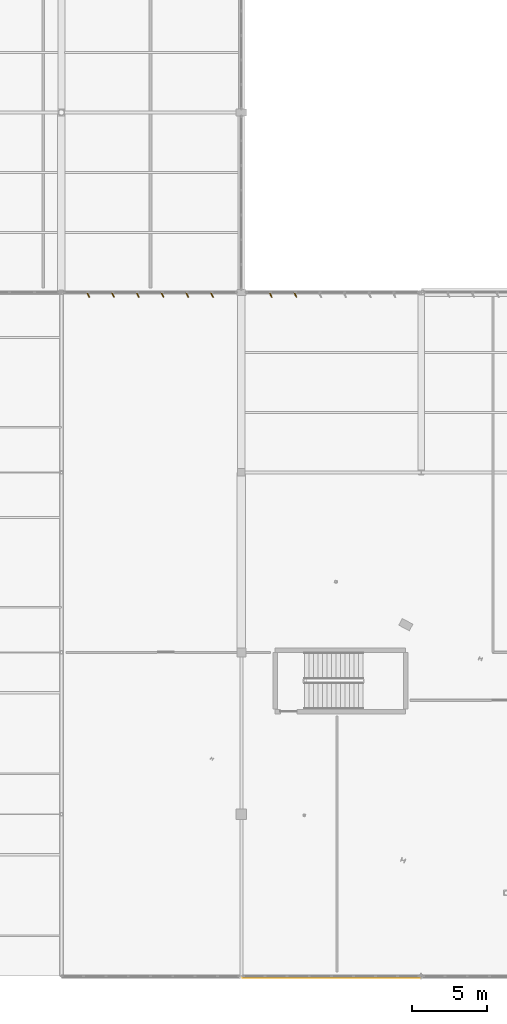
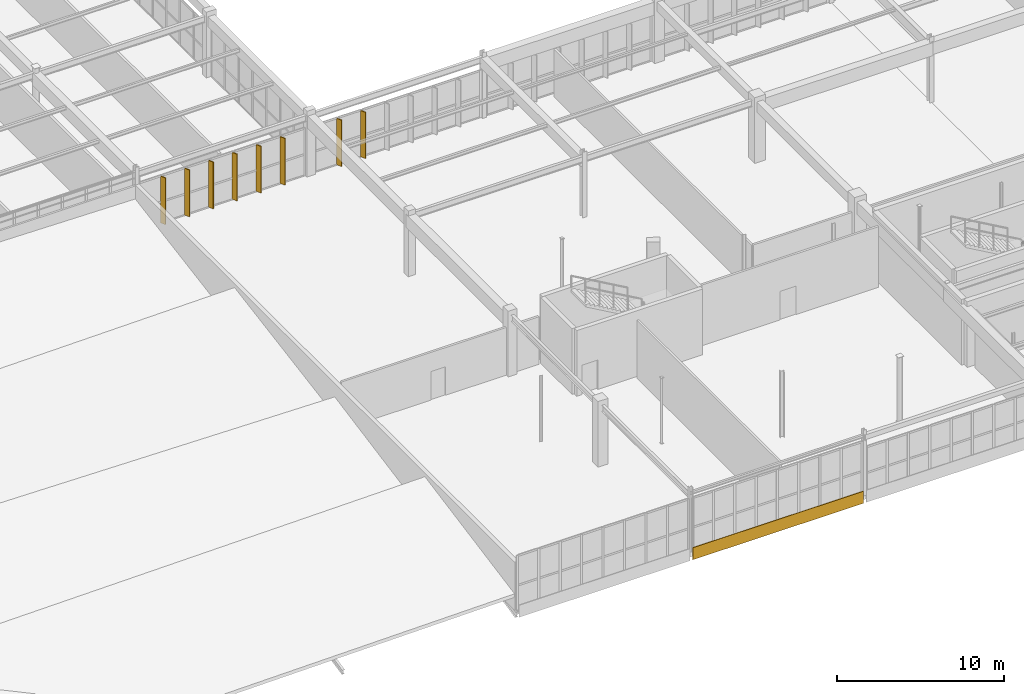
# One storey, part 202 of 226: 8 shading devices, 1 covering.
"""IFC4 building model written with IfcOpenShell, lengths in metres."""

from ifc_helpers import new_model, si_unit, direction, frame, origin, origin_2d, place, context, subcontext, project, spatial, rectangle, extrude, material, layer, layer_set, type_object, element, save


model = new_model("IFC4")

# Units and contexts
model_context = context("Model", 3, precision=1e-05, world=origin(), true_north=direction((0.0, 1.0)))
body_context = subcontext(model_context, "Body", "Model", "MODEL_VIEW")
ifc_project = project(units=[si_unit("LENGTHUNIT", "METRE"), si_unit("AREAUNIT", "SQUARE_METRE"), si_unit("VOLUMEUNIT", "CUBIC_METRE"), si_unit("PLANEANGLEUNIT", "RADIAN"), si_unit("MASSUNIT", "GRAM", prefix="KILO")], contexts=[model_context])

# Site, building, storey
site_placement = place(None, origin())
site = spatial("IfcSite", under=ifc_project, at=site_placement, CompositionType="ELEMENT")
building_placement = place(site_placement, origin())
building = spatial("IfcBuilding", under=site, at=building_placement, Name="Tarnwether General Hospital", CompositionType="ELEMENT")
storey_placement = place(building_placement, frame((0.0, 0.0, 4.800048828125)))
storey = spatial("IfcBuildingStorey", under=building, at=storey_placement, Name="L01", CompositionType="ELEMENT", Elevation=4.800048828125)

# Covering
ifc_material_1 = material(Name="Folded zinc-titanium cladding")
ifc_layer_1 = layer(ifc_material_1, 0.0400390625)
ifc_layer_set_1 = layer_set([ifc_layer_1], Name="Folded zinc-titanium cladding")
covering_type = type_object("IfcCoveringType", Name="CV-CLD-ZNC", PredefinedType="CLADDING", material=ifc_layer_set_1)
covering_placement = place(storey_placement, frame((66.0, -0.090087890625, -0.52001953125), z_axis=(0.0, 0.0, 1.0), x_axis=(1.0, 0.0, 0.0)))
element("IfcCovering", 1, at=covering_placement, inside=storey, type_object=covering_type, Name="Diagnostic Base Faceted Zinc Spandrel 064", PredefinedType="CLADDING", context=body_context, shape_type="SweptSolid", body=[
    extrude(rectangle(XDim=11.800048828125, YDim=0.0400390625, at=origin_2d()), origin(), (0.0, 0.0, 1.0), 0.8798828125),
])

# Shading devices
ifc_material_2 = material(Name="Champagne-bronze anodised aluminium", Category="aluminium")
ifc_layer_2 = layer(ifc_material_2, 0.06005859375)
ifc_layer_set_2 = layer_set([ifc_layer_2], Name="Champagne-bronze anodised aluminium")
shading_device_type = type_object("IfcShadingDeviceType", Name="SH-FIN-BRZ", PredefinedType="USERDEFINED", material=ifc_layer_set_2)
for number, where, z_axis, x_axis, name in (
    (2, (63.60302734375, 45.43994140625, 0.050048828125), (0.0, 0.0, 1.0), (-0.906307787037, -0.422618261741, 0.0), "Champagne-Bronze Brise-Soleil Fin 0270"),
    (3, (61.955078125, 45.43994140625, 0.050048828125), (0.0, 0.0, 1.0), (-0.906307787037, -0.422618261741, 0.0), "Champagne-Bronze Brise-Soleil Fin 0271"),
):
    element("IfcShadingDevice", number, at=place(storey_placement, frame(where, z_axis=z_axis, x_axis=x_axis)), inside=storey, type_object=shading_device_type, Name=name, ObjectType="SOLAR FIN", PredefinedType="USERDEFINED", context=body_context, shape_type="SweptSolid", body=[
        extrude(rectangle(XDim=0.06005859375, YDim=0.360107421875, at=origin_2d()), origin(), (0.0, 0.0, 1.0), 3.3798828125),
    ])
for number, where, z_axis, x_axis, name in (
    (4, (58.041015625, 45.43994140625, 0.050048828125), (0.0, 0.0, 1.0), (-0.906307787037, -0.422618261741, 0.0), "Champagne-Bronze Brise-Soleil Fin 0272"),
    (5, (56.389892578125, 45.43994140625, 0.050048828125), (0.0, 0.0, 1.0), (-0.906307787037, -0.422618261741, 0.0), "Champagne-Bronze Brise-Soleil Fin 0273"),
    (6, (54.739013671875, 45.43994140625, 0.050048828125), (0.0, 0.0, 1.0), (-0.906307787037, -0.422618261741, 0.0), "Champagne-Bronze Brise-Soleil Fin 0274"),
    (7, (53.089111328125, 45.43994140625, 0.050048828125), (0.0, 0.0, 1.0), (-0.906307787037, -0.422618261741, 0.0), "Champagne-Bronze Brise-Soleil Fin 0275"),
    (8, (51.43798828125, 45.43994140625, 0.050048828125), (0.0, 0.0, 1.0), (-0.906307787037, -0.422618261741, 0.0), "Champagne-Bronze Brise-Soleil Fin 0276"),
    (9, (49.787109375, 45.43994140625, 0.050048828125), (0.0, 0.0, 1.0), (-0.906307787037, -0.422618261741, 0.0), "Champagne-Bronze Brise-Soleil Fin 0277"),
):
    element("IfcShadingDevice", number, at=place(storey_placement, frame(where, z_axis=z_axis, x_axis=x_axis)), inside=storey, type_object=shading_device_type, Name=name, ObjectType="SOLAR FIN", PredefinedType="USERDEFINED", context=body_context, shape_type="SweptSolid", body=[
        extrude(rectangle(XDim=0.06005859375, YDim=0.360107421875, at=origin_2d()), origin(), (0.0, 0.0, 1.0), 3.4150390625),
    ])

save(model, "model.ifc")
